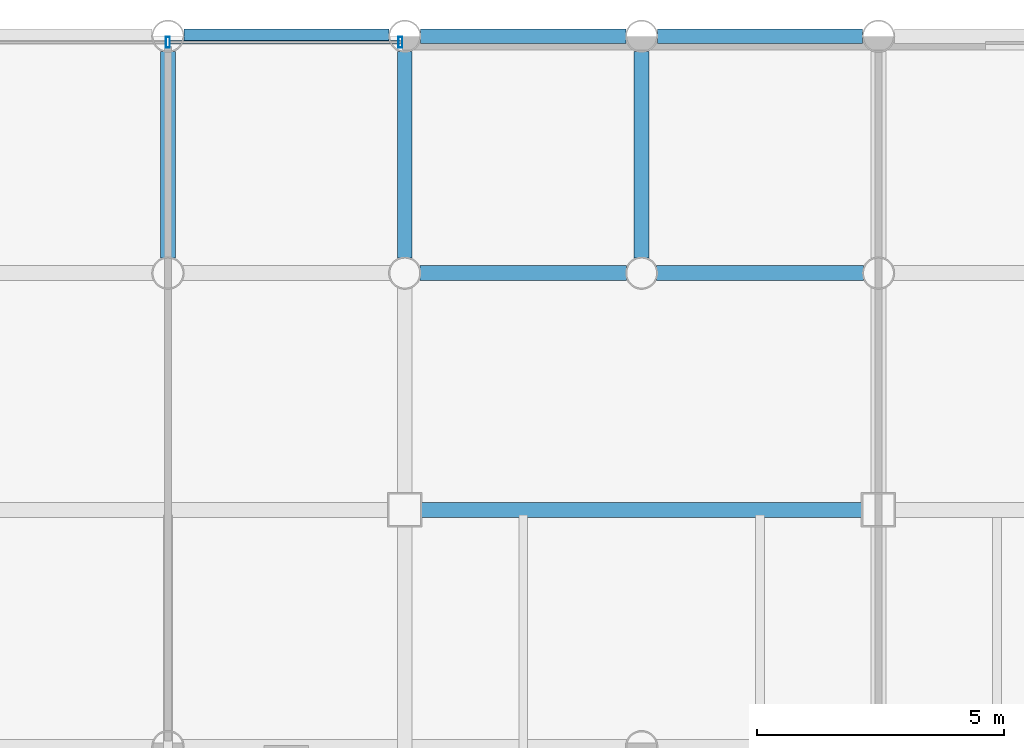
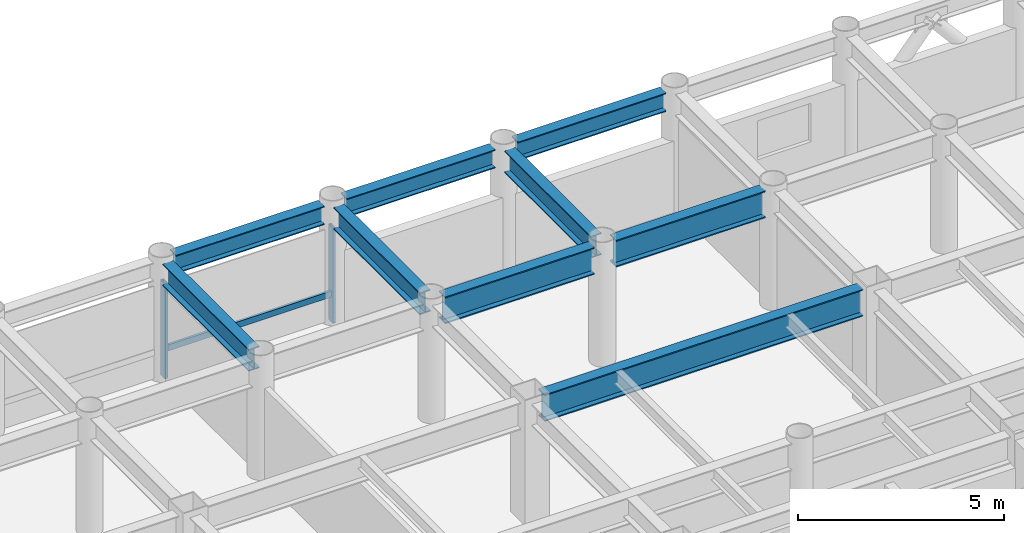
# One storey, part 13 of 19: 9 beams, 3 members, 1 element without a shape of its own.
"""IFC4 building model written with IfcOpenShell, lengths in metres."""

from ifc_helpers import new_model, si_unit, direction, frame, origin, origin_2d, place, context, subcontext, project, spatial, hollow_rectangle, i_section, extrude, material, layer, layer_set, material_profile, profile_set, type_object, element, aggregate, save


model = new_model("IFC4")

# Units and contexts
model_context = context("Model", 3, precision=1e-05, world=origin(), true_north=direction((0.0, 1.0)))
body_context = subcontext(model_context, "Body", "Model", "MODEL_VIEW")
ifc_project = project(units=[si_unit("LENGTHUNIT", "METRE"), si_unit("AREAUNIT", "SQUARE_METRE"), si_unit("VOLUMEUNIT", "CUBIC_METRE"), si_unit("PLANEANGLEUNIT", "RADIAN"), si_unit("MASSUNIT", "GRAM", prefix="KILO")], contexts=[model_context])

# Site, building, storey
site_placement = place(None, origin())
site = spatial("IfcSite", under=ifc_project, at=site_placement, CompositionType="ELEMENT")
building_placement = place(site_placement, origin())
building = spatial("IfcBuilding", under=site, at=building_placement, Name="Kallvorn Hotel Tower", CompositionType="ELEMENT")
storey_placement = place(building_placement, frame((0.0, 0.0, 147.0)))
storey = spatial("IfcBuildingStorey", under=building, at=storey_placement, Name="L36", CompositionType="ELEMENT", Elevation=147.0)

# Beams
ifc_material_1 = material(Name="Structural steel S355JR", Category="steel")
ifc_material_profile_1 = material_profile(ifc_material_1, i_section(OverallWidth=0.300048828125, OverallDepth=0.550048828125, WebThickness=0.014892578125, FlangeThickness=0.029052734375, at=origin_2d()), Name="HE 550 B")
ifc_profile_set_1 = profile_set([ifc_material_profile_1], Name="Structural steel S355JR")
beam_type_1 = type_object("IfcBeamType", Name="BM_HE550B", PredefinedType="SPANDREL", material=ifc_profile_set_1)
for number, where, z_axis, x_axis, name in (
    (1, (0.320068359375, 24.0, 3.2451171875), (1.0, 0.0, 0.0), (0.0, 1.0, 0.0), "L37 Perimeter Spandrel 169"),
    (2, (5.1201171875, 24.0, 3.2451171875), (1.0, 0.0, 0.0), (0.0, 1.0, 0.0), "L37 Perimeter Spandrel 170"),
):
    element("IfcBeam", number, at=place(storey_placement, frame(where, z_axis=z_axis, x_axis=x_axis)), inside=storey, type_object=beam_type_1, Name=name, PredefinedType="SPANDREL", context=body_context, shape_type="SweptSolid", body=[
        extrude(i_section(OverallWidth=0.300048828125, OverallDepth=0.550048828125, WebThickness=0.014892578125, FlangeThickness=0.029052734375, at=origin_2d()), origin(), (0.0, 0.0, 1.0), 4.159912109375),
    ])
beam_1_placement = place(storey_placement, frame((9.919921875, 24.0, 3.2451171875), z_axis=(1.0, 0.0, 0.0), x_axis=(0.0, 1.0, 0.0)))
element("IfcBeam", 3, at=beam_1_placement, inside=storey, type_object=beam_type_1, Name="L37 Perimeter Spandrel 171", PredefinedType="SPANDREL", context=body_context, shape_type="SweptSolid", body=[
    extrude(i_section(OverallWidth=0.300048828125, OverallDepth=0.550048828125, WebThickness=0.014892578125, FlangeThickness=0.029052734375, at=origin_2d()), origin(), (0.0, 0.0, 1.0), 4.16015625),
])
ifc_material_2 = material(Name="Structural steel S355JR", Category="steel")
ifc_material_profile_2 = material_profile(ifc_material_2, i_section(OverallWidth=0.300048828125, OverallDepth=0.64990234375, WebThickness=0.01611328125, FlangeThickness=0.031005859375, at=origin_2d()), Name="HE 650 B")
ifc_profile_set_2 = profile_set([ifc_material_profile_2], Name="Structural steel S355JR")
beam_type_2 = type_object("IfcBeamType", Name="BM_HE650B", PredefinedType="BEAM", material=ifc_profile_set_2)
for number, where, z_axis, x_axis, name in (
    (4, (0.0, 19.5048828125, 3.195068359375), (0.0, 1.0, 0.0), (-1.0, 0.0, 0.0), "L37 Primary Y-Girder 113"),
    (5, (4.800048828125, 19.5048828125, 3.195068359375), (0.0, 1.0, 0.0), (-1.0, 0.0, 0.0), "L37 Primary Y-Girder 118"),
    (6, (9.60009765625, 19.5048828125, 3.195068359375), (0.0, 1.0, 0.0), (-1.0, 0.0, 0.0), "L37 Primary Y-Girder 121"),
):
    element("IfcBeam", number, at=place(storey_placement, frame(where, z_axis=z_axis, x_axis=x_axis)), inside=storey, type_object=beam_type_2, Name=name, PredefinedType="BEAM", context=body_context, shape_type="SweptSolid", body=[
        extrude(i_section(OverallWidth=0.300048828125, OverallDepth=0.64990234375, WebThickness=0.01611328125, FlangeThickness=0.031005859375, at=origin_2d()), origin(), (0.0, 0.0, 1.0), 4.190185546875),
    ])
ifc_material_3 = material(Name="Structural steel S355JR", Category="steel")
ifc_material_profile_3 = material_profile(ifc_material_3, i_section(OverallWidth=0.300048828125, OverallDepth=0.800048828125, WebThickness=0.017578125, FlangeThickness=0.032958984375, at=origin_2d()), Name="HE 800 B")
ifc_profile_set_3 = profile_set([ifc_material_profile_3], Name="Structural steel S355JR")
beam_type_3 = type_object("IfcBeamType", Name="BM_HE800B", PredefinedType="BEAM", material=ifc_profile_set_3)
beam_2_placement = place(storey_placement, frame((5.125, 14.39990234375, 3.1201171875), z_axis=(1.0, 0.0, 0.0), x_axis=(0.0, 1.0, 0.0)))
element("IfcBeam", 7, at=beam_2_placement, inside=storey, type_object=beam_type_3, Name="L37 Primary X-Girder 56", PredefinedType="BEAM", context=body_context, shape_type="SweptSolid", body=[
    extrude(i_section(OverallWidth=0.300048828125, OverallDepth=0.800048828125, WebThickness=0.017578125, FlangeThickness=0.032958984375, at=origin_2d()), origin(), (0.0, 0.0, 1.0), 8.949951171875),
])
for number, where, z_axis, x_axis, name in (
    (8, (5.10498046875, 19.199951171875, 3.1201171875), (1.0, 0.0, 0.0), (0.0, 1.0, 0.0), "L37 Primary X-Girder 68"),
    (9, (9.905029296875, 19.199951171875, 3.1201171875), (1.0, 0.0, 0.0), (0.0, 1.0, 0.0), "L37 Primary X-Girder 69"),
):
    element("IfcBeam", number, at=place(storey_placement, frame(where, z_axis=z_axis, x_axis=x_axis)), inside=storey, type_object=beam_type_3, Name=name, PredefinedType="BEAM", context=body_context, shape_type="SweptSolid", body=[
        extrude(i_section(OverallWidth=0.300048828125, OverallDepth=0.800048828125, WebThickness=0.017578125, FlangeThickness=0.032958984375, at=origin_2d()), origin(), (0.0, 0.0, 1.0), 4.18994140625),
    ])

# Curtain wall, members
ifc_material_4 = material(Name="Thermally broken black-anodised aluminium AA 6063-T6", Category="aluminium")
ifc_layer = layer(ifc_material_4, 0.2099609375)
ifc_layer_set = layer_set([ifc_layer], Name="CW_SYS_4_HOTEL_MID")
curtain_wall_type = type_object("IfcCurtainWallType", Name="CW_SYS_4_HOTEL_MID", PredefinedType="USERDEFINED", material=ifc_layer_set)
curtain_wall_placement = place(storey_placement, origin())
curtain_wall = element("IfcCurtainWall", 10, at=curtain_wall_placement, inside=storey, type_object=curtain_wall_type, Name="L36 Dark-Glass Curtain Wall CW-L36-NC", ObjectType="UNITISED CURTAIN WALL", PredefinedType="USERDEFINED")
ifc_material_5 = material(Name="Thermally broken black-anodised aluminium AA 6063-T6", Category="aluminium")
ifc_material_profile_4 = material_profile(ifc_material_5, hollow_rectangle(XDim=0.080078125, YDim=0.219970703125, WallThickness=0.0048828125, at=origin_2d()), Name="MUL 220x80")
ifc_profile_set_4 = profile_set([ifc_material_profile_4], Name="Thermally broken black-anodised aluminium AA 6063-T6")
member_type_1 = type_object("IfcMemberType", Name="CW_MULLION_220x80", PredefinedType="MULLION", material=ifc_profile_set_4)
member_1_placement = place(storey_placement, frame((0.0, 23.8798828125, 0.02001953125), z_axis=(0.0, 0.0, 1.0), x_axis=(1.0, 0.0, 0.0)))
member_1 = element("IfcMember", 11, at=member_1_placement, type_object=member_type_1, Name="CW-L36-NC Mullion 01", PredefinedType="MULLION", context=body_context, shape_type="SweptSolid", body=[
    extrude(hollow_rectangle(XDim=0.080078125, YDim=0.219970703125, WallThickness=0.0048828125, at=origin_2d()), origin(), (0.0, 0.0, 1.0), 2.830078125),
])
member_2_placement = place(storey_placement, frame((4.7099609375, 23.8798828125, 0.02001953125), z_axis=(0.0, 0.0, 1.0), x_axis=(1.0, 0.0, 0.0)))
member_2 = element("IfcMember", 12, at=member_2_placement, type_object=member_type_1, Name="CW-L36-NC Mullion 02", PredefinedType="MULLION", context=body_context, shape_type="SweptSolid", body=[
    extrude(hollow_rectangle(XDim=0.080078125, YDim=0.219970703125, WallThickness=0.0048828125, at=origin_2d()), origin(), (0.0, 0.0, 1.0), 2.830078125),
])
ifc_material_6 = material(Name="Thermally broken black-anodised aluminium AA 6063-T6", Category="aluminium")
ifc_material_profile_5 = material_profile(ifc_material_6, hollow_rectangle(XDim=0.070068359375, YDim=0.179931640625, WallThickness=0.00390625, at=origin_2d()), Name="TRN 180x70")
ifc_profile_set_5 = profile_set([ifc_material_profile_5], Name="Thermally broken black-anodised aluminium AA 6063-T6")
member_type_2 = type_object("IfcMemberType", Name="CW_TRANSOM_180x70", PredefinedType="USERDEFINED", material=ifc_profile_set_5)
member_3_placement = place(storey_placement, frame((0.0400390625, 23.8798828125, 0.85009765625), z_axis=(1.0, 0.0, 0.0), x_axis=(0.0, 1.0, 0.0)))
member_3 = element("IfcMember", 13, at=member_3_placement, type_object=member_type_2, Name="CW-L36-NC Transom 01M", ObjectType="TRANSOM", PredefinedType="USERDEFINED", context=body_context, shape_type="SweptSolid", body=[
    extrude(hollow_rectangle(XDim=0.070068359375, YDim=0.179931640625, WallThickness=0.00390625, at=origin_2d()), origin(), (0.0, 0.0, 1.0), 4.669921875),
])
aggregate(curtain_wall, [member_1, member_2, member_3])

save(model, "model.ifc")
